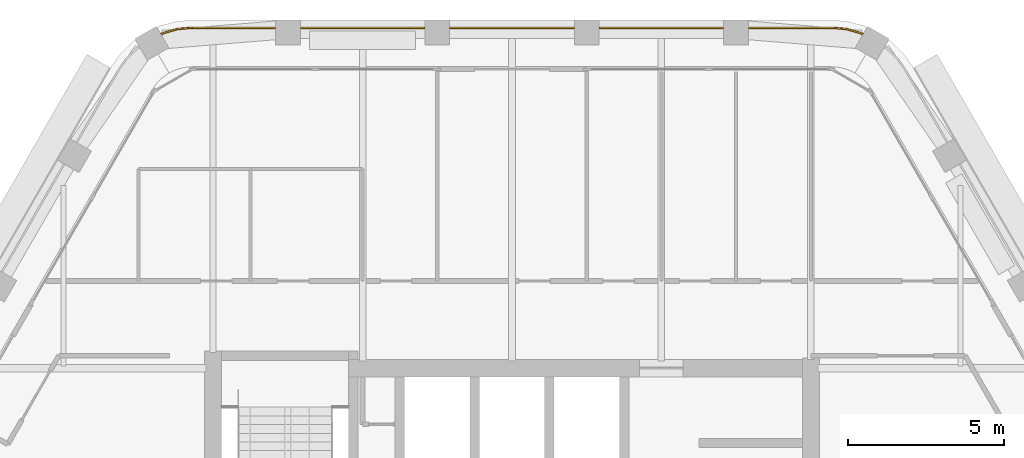
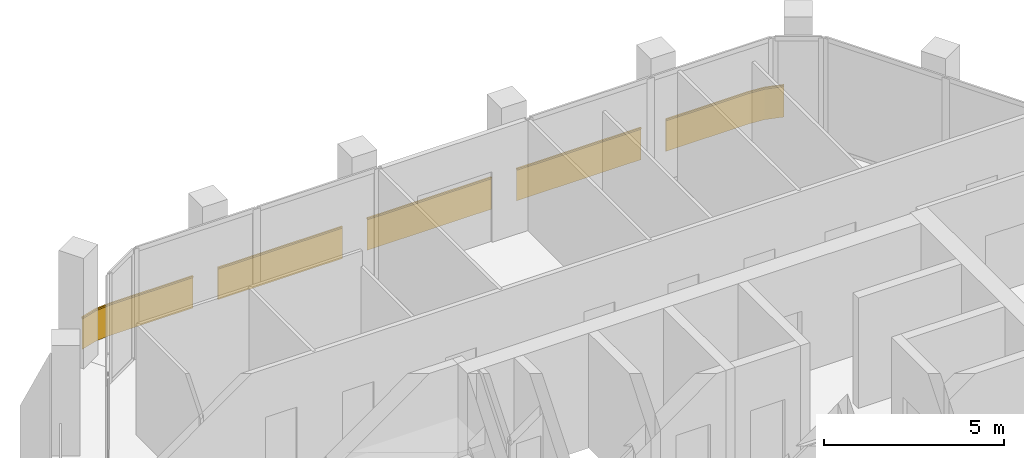
# One storey, part 13 of 13: 1 railing.
"""IFC4 building model written with IfcOpenShell, lengths in metres."""

from ifc_helpers import new_model, si_unit, direction, frame, frame_2d, origin, origin_2d, place, context, subcontext, project, spatial, rectangle, extrude, material, type_object, element, save


model = new_model("IFC4")

# Units and contexts
model_context = context("Model", 3, precision=1e-05, world=origin(), true_north=direction((0.0, 1.0)))
body_context = subcontext(model_context, "Body", "Model", "MODEL_VIEW")
ifc_project = project(units=[si_unit("LENGTHUNIT", "METRE"), si_unit("AREAUNIT", "SQUARE_METRE"), si_unit("VOLUMEUNIT", "CUBIC_METRE"), si_unit("PLANEANGLEUNIT", "RADIAN"), si_unit("MASSUNIT", "GRAM", prefix="KILO")], contexts=[model_context])

# Site, building, storey
site_placement = place(None, origin())
site = spatial("IfcSite", under=ifc_project, at=site_placement, CompositionType="ELEMENT")
building_placement = place(site_placement, origin())
building = spatial("IfcBuilding", under=site, at=building_placement, Name="Kolab Exchange Tower", CompositionType="ELEMENT")
storey_placement = place(building_placement, frame((0.0, 0.0, 230.60009765625)))
storey = spatial("IfcBuildingStorey", under=building, at=storey_placement, Name="L50", CompositionType="ELEMENT", Elevation=230.60009765625)

# Railing
ifc_material = material(Name="Steel S235", Category="steel")
railing_type = type_object("IfcRailingType", Name="GUARD 1100 GLASS BALUSTRADE AND STEEL TOP RAIL", PredefinedType="GUARDRAIL", material=ifc_material)
railing_placement = place(storey_placement, frame((11.280517578125, 20.335205078125, 0.0)))
element("IfcRailing", 1, at=railing_placement, inside=storey, type_object=railing_type, Name="Guard", PredefinedType="GUARDRAIL", context=body_context, shape_type="SweptSolid", body=[
    extrude(rectangle(XDim=0.05, YDim=0.05, at=origin_2d()), frame((0.0, 0.0, 1.0751953125), z_axis=(-0.959212061764, 0.282687496304, 0.0), x_axis=(-0.282687496304, -0.959212061764, 0.0)), (0.0, 0.0, 1.0), 0.557861328125),
    extrude(rectangle(XDim=0.012, YDim=1.05009765625, at=frame_2d((0.0, 0.525146484375))), frame((0.0, 0.0, 0.0), z_axis=(-0.959212061764, 0.282687496304, 0.0), x_axis=(-0.282687496304, -0.959212061764, 0.0)), (0.0, 0.0, 1.0), 0.557861328125),
    extrude(rectangle(XDim=0.05, YDim=0.05, at=origin_2d()), frame((-0.53515625, 0.15771484375, 1.0751953125), z_axis=(-0.996196482496, 0.087135344505, 0.0), x_axis=(-0.087135344505, -0.996196482496, 0.0)), (0.0, 0.0, 1.0), 0.47900390625),
    extrude(rectangle(XDim=0.012, YDim=1.05009765625, at=frame_2d((0.0, 0.525146484375))), frame((-0.53515625, 0.15771484375, 0.0), z_axis=(-0.996196482496, 0.087135344505, 0.0), x_axis=(-0.087135344505, -0.996196482496, 0.0)), (0.0, 0.0, 1.0), 0.47900390625),
    extrude(rectangle(XDim=0.05, YDim=0.05, at=origin_2d()), frame((-1.012451171875, 0.199462890625, 1.0751953125), z_axis=(-1.0, 0.0, 0.0), x_axis=(0.0, -1.0, 0.0)), (0.0, 0.0, 1.0), 2.66796875),
    extrude(rectangle(XDim=0.012, YDim=1.05009765625, at=frame_2d((0.0, 0.525146484375))), frame((-1.012451171875, 0.199462890625, 0.0), z_axis=(-1.0, 0.0, 0.0), x_axis=(0.0, -1.0, 0.0)), (0.0, 0.0, 1.0), 2.66796875),
    extrude(rectangle(XDim=0.05, YDim=0.05, at=origin_2d()), frame((-4.48046875, 0.199462890625, 1.0751953125), z_axis=(-1.0, 0.0, 0.0), x_axis=(0.0, -1.0, 0.0)), (0.0, 0.0, 1.0), 4.0),
    extrude(rectangle(XDim=0.012, YDim=1.05009765625, at=frame_2d((0.0, 0.525146484375))), frame((-4.48046875, 0.199462890625, 0.0), z_axis=(-1.0, 0.0, 0.0), x_axis=(0.0, -1.0, 0.0)), (0.0, 0.0, 1.0), 4.0),
    extrude(rectangle(XDim=0.05, YDim=0.05, at=origin_2d()), frame((-9.280517578125, 0.199462890625, 1.0751953125), z_axis=(-1.0, 0.0, 0.0), x_axis=(0.0, -1.0, 0.0)), (0.0, 0.0, 1.0), 4.0),
    extrude(rectangle(XDim=0.012, YDim=1.05009765625, at=frame_2d((0.0, 0.525146484375))), frame((-9.280517578125, 0.199462890625, 0.0), z_axis=(-1.0, 0.0, 0.0), x_axis=(0.0, -1.0, 0.0)), (0.0, 0.0, 1.0), 4.0),
    extrude(rectangle(XDim=0.05, YDim=0.05, at=origin_2d()), frame((-14.08056640625, 0.199462890625, 1.0751953125), z_axis=(-1.0, 0.0, 0.0), x_axis=(0.0, -1.0, 0.0)), (0.0, 0.0, 1.0), 4.0),
    extrude(rectangle(XDim=0.012, YDim=1.05009765625, at=frame_2d((0.0, 0.525146484375))), frame((-14.08056640625, 0.199462890625, 0.0), z_axis=(-1.0, 0.0, 0.0), x_axis=(0.0, -1.0, 0.0)), (0.0, 0.0, 1.0), 4.0),
    extrude(rectangle(XDim=0.05, YDim=0.05, at=origin_2d()), frame((-18.880615234375, 0.199462890625, 1.0751953125), z_axis=(-1.0, 0.0, 0.0), x_axis=(0.0, -1.0, 0.0)), (0.0, 0.0, 1.0), 2.66796875),
    extrude(rectangle(XDim=0.012, YDim=1.05009765625, at=frame_2d((0.0, 0.525146484375))), frame((-18.880615234375, 0.199462890625, 0.0), z_axis=(-1.0, 0.0, 0.0), x_axis=(0.0, -1.0, 0.0)), (0.0, 0.0, 1.0), 2.66796875),
    extrude(rectangle(XDim=0.05, YDim=0.05, at=origin_2d()), frame((-21.548583984375, 0.199462890625, 1.0751953125), z_axis=(-0.996196482496, -0.087135344505, 0.0), x_axis=(0.087135344505, -0.996196482496, 0.0)), (0.0, 0.0, 1.0), 0.47900390625),
    extrude(rectangle(XDim=0.012, YDim=1.05009765625, at=frame_2d((0.0, 0.525146484375))), frame((-21.548583984375, 0.199462890625, 0.0), z_axis=(-0.996196482496, -0.087135344505, 0.0), x_axis=(0.087135344505, -0.996196482496, 0.0)), (0.0, 0.0, 1.0), 0.47900390625),
    extrude(rectangle(XDim=0.05, YDim=0.05, at=origin_2d()), frame((-22.02587890625, 0.15771484375, 1.0751953125), z_axis=(-0.959212061764, -0.282687496304, 0.0), x_axis=(0.282687496304, -0.959212061764, 0.0)), (0.0, 0.0, 1.0), 0.557861328125),
    extrude(rectangle(XDim=0.012, YDim=1.05009765625, at=frame_2d((0.0, 0.525146484375))), frame((-22.02587890625, 0.15771484375, 0.0), z_axis=(-0.959212061764, -0.282687496304, 0.0), x_axis=(0.282687496304, -0.959212061764, 0.0)), (0.0, 0.0, 1.0), 0.557861328125),
])

save(model, "model.ifc")
